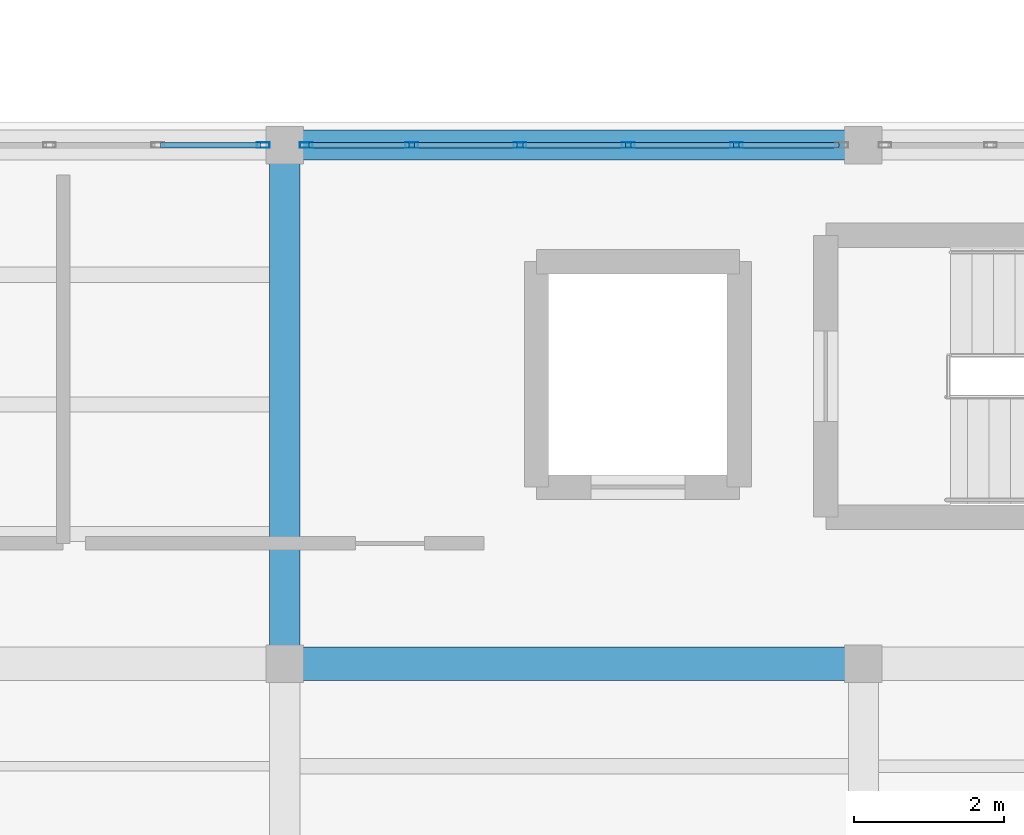
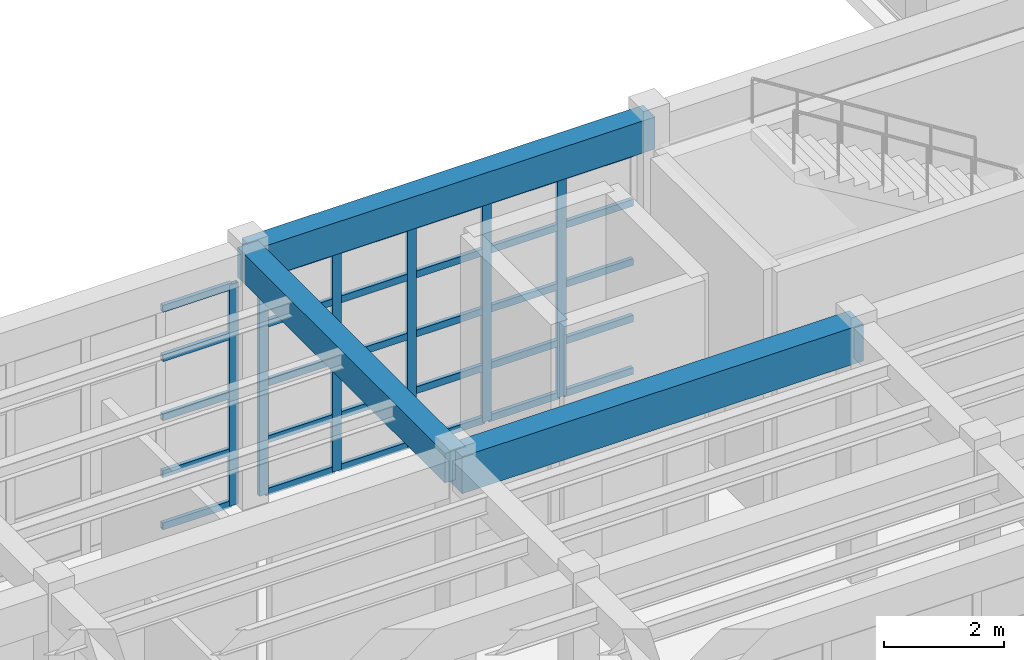
# One storey, part 31 of 103: 36 members, 3 beams, 2 elements without a shape of their own.
"""IFC4 building model written with IfcOpenShell, lengths in metres."""

from ifc_helpers import new_model, si_unit, direction, frame, origin, origin_2d, place, context, subcontext, project, spatial, rectangle, hollow_rectangle, extrude, material, layer, layer_set, material_profile, profile_set, type_object, element, aggregate, save


model = new_model("IFC4")

# Units and contexts
model_context = context("Model", 3, precision=1e-05, world=origin(), true_north=direction((0.0, 1.0)))
body_context = subcontext(model_context, "Body", "Model", "MODEL_VIEW")
ifc_project = project(units=[si_unit("LENGTHUNIT", "METRE"), si_unit("AREAUNIT", "SQUARE_METRE"), si_unit("VOLUMEUNIT", "CUBIC_METRE"), si_unit("PLANEANGLEUNIT", "RADIAN"), si_unit("MASSUNIT", "GRAM", prefix="KILO")], contexts=[model_context])

# Site, building, storey
site_placement = place(None, origin())
site = spatial("IfcSite", under=ifc_project, at=site_placement, CompositionType="ELEMENT")
building_placement = place(site_placement, origin())
building = spatial("IfcBuilding", under=site, at=building_placement, Name="Candilejo Ridge Gondola Terminal", CompositionType="ELEMENT")
storey_placement = place(building_placement, frame((0.0, 0.0, 9.0)))
storey = spatial("IfcBuildingStorey", under=building, at=storey_placement, Name="L02", CompositionType="ELEMENT", Elevation=9.0)

# Curtain wall, member
ifc_material_1 = material(Name="Anodised aluminium AA 6063-T6", Category="aluminium")
ifc_layer = layer(ifc_material_1, 0.169921875)
ifc_layer_set = layer_set([ifc_layer], Name="ARC-CW-GALLERY-3200-720X449")
curtain_wall_type = type_object("IfcCurtainWallType", Name="ARC-CW-GALLERY-3200-720X449", PredefinedType="NOTDEFINED", material=ifc_layer_set)
curtain_wall_1_placement = place(storey_placement, origin())
curtain_wall_1 = element("IfcCurtainWall", 1, at=curtain_wall_1_placement, inside=storey, type_object=curtain_wall_type, Name="Curtain wall V3 L02-088", PredefinedType="NOTDEFINED")
ifc_material_2 = material(Name="Anodised aluminium AA 6063-T6", Category="aluminium")
ifc_material_profile_1 = material_profile(ifc_material_2, hollow_rectangle(XDim=0.074951171875, YDim=0.169921875, WallThickness=0.00390625, at=origin_2d()))
ifc_profile_set_1 = profile_set([ifc_material_profile_1], Name="Anodised aluminium AA 6063-T6")
member_type_1 = type_object("IfcMemberType", Name="ARC-CW-MULLION", PredefinedType="MULLION", material=ifc_profile_set_1)
member_1_placement = place(storey_placement, frame((117.262451171875, 36.699951171875, 0.0), z_axis=(0.0, 0.0, 1.0), x_axis=(0.0, 1.0, 0.0)))
member_1 = element("IfcMember", 2, at=member_1_placement, type_object=member_type_1, Name="CW-72X44 mullion 6", PredefinedType="MULLION", context=body_context, shape_type="SweptSolid", body=[
    extrude(hollow_rectangle(XDim=0.074951171875, YDim=0.169921875, WallThickness=0.00390625, at=origin_2d()), origin(), (0.0, 0.0, 1.0), 4.489990234375),
])

# Curtain wall, members
curtain_wall_2_placement = place(storey_placement, origin())
curtain_wall_2 = element("IfcCurtainWall", 3, at=curtain_wall_2_placement, inside=storey, type_object=curtain_wall_type, Name="Curtain wall V3 L02-090", PredefinedType="NOTDEFINED")
member_2_placement = place(storey_placement, frame((117.83740234375, 36.699951171875, 0.0), z_axis=(0.0, 0.0, 1.0), x_axis=(0.0, 1.0, 0.0)))
member_2 = element("IfcMember", 4, at=member_2_placement, type_object=member_type_1, Name="CW-72X44 mullion 1", PredefinedType="MULLION", context=body_context, shape_type="SweptSolid", body=[
    extrude(hollow_rectangle(XDim=0.074951171875, YDim=0.169921875, WallThickness=0.00390625, at=origin_2d()), origin(), (0.0, 0.0, 1.0), 4.489990234375),
])
member_3_placement = place(storey_placement, frame((119.239990234375, 36.699951171875, 0.0), z_axis=(0.0, 0.0, 1.0), x_axis=(0.0, 1.0, 0.0)))
member_3 = element("IfcMember", 5, at=member_3_placement, type_object=member_type_1, Name="CW-72X44 mullion 2", PredefinedType="MULLION", context=body_context, shape_type="SweptSolid", body=[
    extrude(hollow_rectangle(XDim=0.074951171875, YDim=0.169921875, WallThickness=0.00390625, at=origin_2d()), origin(), (0.0, 0.0, 1.0), 4.489990234375),
])
member_4_placement = place(storey_placement, frame((120.679931640625, 36.699951171875, 0.0), z_axis=(0.0, 0.0, 1.0), x_axis=(0.0, 1.0, 0.0)))
member_4 = element("IfcMember", 6, at=member_4_placement, type_object=member_type_1, Name="CW-72X44 mullion 3", PredefinedType="MULLION", context=body_context, shape_type="SweptSolid", body=[
    extrude(hollow_rectangle(XDim=0.074951171875, YDim=0.169921875, WallThickness=0.00390625, at=origin_2d()), origin(), (0.0, 0.0, 1.0), 4.489990234375),
])
member_5_placement = place(storey_placement, frame((122.1201171875, 36.699951171875, 0.0), z_axis=(0.0, 0.0, 1.0), x_axis=(0.0, 1.0, 0.0)))
member_5 = element("IfcMember", 7, at=member_5_placement, type_object=member_type_1, Name="CW-72X44 mullion 4", PredefinedType="MULLION", context=body_context, shape_type="SweptSolid", body=[
    extrude(hollow_rectangle(XDim=0.074951171875, YDim=0.169921875, WallThickness=0.00390625, at=origin_2d()), origin(), (0.0, 0.0, 1.0), 4.489990234375),
])
member_6_placement = place(storey_placement, frame((123.56005859375, 36.699951171875, 0.0), z_axis=(0.0, 0.0, 1.0), x_axis=(0.0, 1.0, 0.0)))
member_6 = element("IfcMember", 8, at=member_6_placement, type_object=member_type_1, Name="CW-72X44 mullion 5", PredefinedType="MULLION", context=body_context, shape_type="SweptSolid", body=[
    extrude(hollow_rectangle(XDim=0.074951171875, YDim=0.169921875, WallThickness=0.00390625, at=origin_2d()), origin(), (0.0, 0.0, 1.0), 4.489990234375),
])

# Member
ifc_material_3 = material(Name="Anodised aluminium AA 6063-T6", Category="aluminium")
ifc_material_profile_2 = material_profile(ifc_material_3, hollow_rectangle(XDim=0.074951171875, YDim=0.139892578125, WallThickness=0.00390625, at=origin_2d()))
ifc_profile_set_2 = profile_set([ifc_material_profile_2], Name="Anodised aluminium AA 6063-T6")
member_type_2 = type_object("IfcMemberType", Name="ARC-CW-TRANSOM", PredefinedType="USERDEFINED", material=ifc_profile_set_2)
member_7_placement = place(storey_placement, frame((115.8974609375, 36.699951171875, 0.03759765625), z_axis=(1.0, 0.0, 0.0), x_axis=(0.0, 1.0, 0.0)))
member_7 = element("IfcMember", 9, at=member_7_placement, type_object=member_type_2, Name="CW-72X44 transom 5.1", ObjectType="TRANSOM", PredefinedType="USERDEFINED", context=body_context, shape_type="SweptSolid", body=[
    extrude(hollow_rectangle(XDim=0.074951171875, YDim=0.139892578125, WallThickness=0.00390625, at=origin_2d()), origin(), (0.0, 0.0, 1.0), 1.32763671875),
])

member_8_placement = place(storey_placement, frame((115.8974609375, 36.699951171875, 1.10009765625), z_axis=(1.0, 0.0, 0.0), x_axis=(0.0, 1.0, 0.0)))
member_8 = element("IfcMember", 10, at=member_8_placement, type_object=member_type_2, Name="CW-72X44 transom 5.2", ObjectType="TRANSOM", PredefinedType="USERDEFINED", context=body_context, shape_type="SweptSolid", body=[
    extrude(hollow_rectangle(XDim=0.074951171875, YDim=0.139892578125, WallThickness=0.00390625, at=origin_2d()), origin(), (0.0, 0.0, 1.0), 1.32763671875),
])

member_9_placement = place(storey_placement, frame((115.8974609375, 36.699951171875, 2.25), z_axis=(1.0, 0.0, 0.0), x_axis=(0.0, 1.0, 0.0)))
member_9 = element("IfcMember", 11, at=member_9_placement, type_object=member_type_2, Name="CW-72X44 transom 5.3", ObjectType="TRANSOM", PredefinedType="USERDEFINED", context=body_context, shape_type="SweptSolid", body=[
    extrude(hollow_rectangle(XDim=0.074951171875, YDim=0.139892578125, WallThickness=0.00390625, at=origin_2d()), origin(), (0.0, 0.0, 1.0), 1.32763671875),
])

member_10_placement = place(storey_placement, frame((115.8974609375, 36.699951171875, 3.449951171875), z_axis=(1.0, 0.0, 0.0), x_axis=(0.0, 1.0, 0.0)))
member_10 = element("IfcMember", 12, at=member_10_placement, type_object=member_type_2, Name="CW-72X44 transom 5.4", ObjectType="TRANSOM", PredefinedType="USERDEFINED", context=body_context, shape_type="SweptSolid", body=[
    extrude(hollow_rectangle(XDim=0.074951171875, YDim=0.139892578125, WallThickness=0.00390625, at=origin_2d()), origin(), (0.0, 0.0, 1.0), 1.32763671875),
])

member_11_placement = place(storey_placement, frame((115.8974609375, 36.699951171875, 4.452392578125), z_axis=(1.0, 0.0, 0.0), x_axis=(0.0, 1.0, 0.0)))
member_11 = element("IfcMember", 13, at=member_11_placement, type_object=member_type_2, Name="CW-72X44 transom 5.5", ObjectType="TRANSOM", PredefinedType="USERDEFINED", context=body_context, shape_type="SweptSolid", body=[
    extrude(hollow_rectangle(XDim=0.074951171875, YDim=0.139892578125, WallThickness=0.00390625, at=origin_2d()), origin(), (0.0, 0.0, 1.0), 1.32763671875),
])

aggregate(curtain_wall_1, [member_1, member_7, member_8, member_9, member_10, member_11])

member_12_placement = place(storey_placement, frame((117.875, 36.699951171875, 0.03759765625), z_axis=(1.0, 0.0, 0.0), x_axis=(0.0, 1.0, 0.0)))
member_12 = element("IfcMember", 14, at=member_12_placement, type_object=member_type_2, Name="CW-72X44 transom 1.1", ObjectType="TRANSOM", PredefinedType="USERDEFINED", context=body_context, shape_type="SweptSolid", body=[
    extrude(hollow_rectangle(XDim=0.074951171875, YDim=0.139892578125, WallThickness=0.00390625, at=origin_2d()), origin(), (0.0, 0.0, 1.0), 1.327392578125),
])

member_13_placement = place(storey_placement, frame((117.875, 36.699951171875, 1.10009765625), z_axis=(1.0, 0.0, 0.0), x_axis=(0.0, 1.0, 0.0)))
member_13 = element("IfcMember", 15, at=member_13_placement, type_object=member_type_2, Name="CW-72X44 transom 1.2", ObjectType="TRANSOM", PredefinedType="USERDEFINED", context=body_context, shape_type="SweptSolid", body=[
    extrude(hollow_rectangle(XDim=0.074951171875, YDim=0.139892578125, WallThickness=0.00390625, at=origin_2d()), origin(), (0.0, 0.0, 1.0), 1.327392578125),
])

member_14_placement = place(storey_placement, frame((117.875, 36.699951171875, 2.25), z_axis=(1.0, 0.0, 0.0), x_axis=(0.0, 1.0, 0.0)))
member_14 = element("IfcMember", 16, at=member_14_placement, type_object=member_type_2, Name="CW-72X44 transom 1.3", ObjectType="TRANSOM", PredefinedType="USERDEFINED", context=body_context, shape_type="SweptSolid", body=[
    extrude(hollow_rectangle(XDim=0.074951171875, YDim=0.139892578125, WallThickness=0.00390625, at=origin_2d()), origin(), (0.0, 0.0, 1.0), 1.327392578125),
])

member_15_placement = place(storey_placement, frame((117.875, 36.699951171875, 3.449951171875), z_axis=(1.0, 0.0, 0.0), x_axis=(0.0, 1.0, 0.0)))
member_15 = element("IfcMember", 17, at=member_15_placement, type_object=member_type_2, Name="CW-72X44 transom 1.4", ObjectType="TRANSOM", PredefinedType="USERDEFINED", context=body_context, shape_type="SweptSolid", body=[
    extrude(hollow_rectangle(XDim=0.074951171875, YDim=0.139892578125, WallThickness=0.00390625, at=origin_2d()), origin(), (0.0, 0.0, 1.0), 1.327392578125),
])

member_16_placement = place(storey_placement, frame((117.875, 36.699951171875, 4.452392578125), z_axis=(1.0, 0.0, 0.0), x_axis=(0.0, 1.0, 0.0)))
member_16 = element("IfcMember", 18, at=member_16_placement, type_object=member_type_2, Name="CW-72X44 transom 1.5", ObjectType="TRANSOM", PredefinedType="USERDEFINED", context=body_context, shape_type="SweptSolid", body=[
    extrude(hollow_rectangle(XDim=0.074951171875, YDim=0.139892578125, WallThickness=0.00390625, at=origin_2d()), origin(), (0.0, 0.0, 1.0), 1.327392578125),
])

member_17_placement = place(storey_placement, frame((119.277587890625, 36.699951171875, 0.03759765625), z_axis=(1.0, 0.0, 0.0), x_axis=(0.0, 1.0, 0.0)))
member_17 = element("IfcMember", 19, at=member_17_placement, type_object=member_type_2, Name="CW-72X44 transom 2.1", ObjectType="TRANSOM", PredefinedType="USERDEFINED", context=body_context, shape_type="SweptSolid", body=[
    extrude(hollow_rectangle(XDim=0.074951171875, YDim=0.139892578125, WallThickness=0.00390625, at=origin_2d()), origin(), (0.0, 0.0, 1.0), 1.364990234375),
])

member_18_placement = place(storey_placement, frame((119.277587890625, 36.699951171875, 1.10009765625), z_axis=(1.0, 0.0, 0.0), x_axis=(0.0, 1.0, 0.0)))
member_18 = element("IfcMember", 20, at=member_18_placement, type_object=member_type_2, Name="CW-72X44 transom 2.2", ObjectType="TRANSOM", PredefinedType="USERDEFINED", context=body_context, shape_type="SweptSolid", body=[
    extrude(hollow_rectangle(XDim=0.074951171875, YDim=0.139892578125, WallThickness=0.00390625, at=origin_2d()), origin(), (0.0, 0.0, 1.0), 1.364990234375),
])

member_19_placement = place(storey_placement, frame((119.277587890625, 36.699951171875, 2.25), z_axis=(1.0, 0.0, 0.0), x_axis=(0.0, 1.0, 0.0)))
member_19 = element("IfcMember", 21, at=member_19_placement, type_object=member_type_2, Name="CW-72X44 transom 2.3", ObjectType="TRANSOM", PredefinedType="USERDEFINED", context=body_context, shape_type="SweptSolid", body=[
    extrude(hollow_rectangle(XDim=0.074951171875, YDim=0.139892578125, WallThickness=0.00390625, at=origin_2d()), origin(), (0.0, 0.0, 1.0), 1.364990234375),
])

member_20_placement = place(storey_placement, frame((119.277587890625, 36.699951171875, 3.449951171875), z_axis=(1.0, 0.0, 0.0), x_axis=(0.0, 1.0, 0.0)))
member_20 = element("IfcMember", 22, at=member_20_placement, type_object=member_type_2, Name="CW-72X44 transom 2.4", ObjectType="TRANSOM", PredefinedType="USERDEFINED", context=body_context, shape_type="SweptSolid", body=[
    extrude(hollow_rectangle(XDim=0.074951171875, YDim=0.139892578125, WallThickness=0.00390625, at=origin_2d()), origin(), (0.0, 0.0, 1.0), 1.364990234375),
])

member_21_placement = place(storey_placement, frame((119.277587890625, 36.699951171875, 4.452392578125), z_axis=(1.0, 0.0, 0.0), x_axis=(0.0, 1.0, 0.0)))
member_21 = element("IfcMember", 23, at=member_21_placement, type_object=member_type_2, Name="CW-72X44 transom 2.5", ObjectType="TRANSOM", PredefinedType="USERDEFINED", context=body_context, shape_type="SweptSolid", body=[
    extrude(hollow_rectangle(XDim=0.074951171875, YDim=0.139892578125, WallThickness=0.00390625, at=origin_2d()), origin(), (0.0, 0.0, 1.0), 1.364990234375),
])

member_22_placement = place(storey_placement, frame((120.717529296875, 36.699951171875, 0.03759765625), z_axis=(1.0, 0.0, 0.0), x_axis=(0.0, 1.0, 0.0)))
member_22 = element("IfcMember", 24, at=member_22_placement, type_object=member_type_2, Name="CW-72X44 transom 3.1", ObjectType="TRANSOM", PredefinedType="USERDEFINED", context=body_context, shape_type="SweptSolid", body=[
    extrude(hollow_rectangle(XDim=0.074951171875, YDim=0.139892578125, WallThickness=0.00390625, at=origin_2d()), origin(), (0.0, 0.0, 1.0), 1.364990234375),
])

member_23_placement = place(storey_placement, frame((120.717529296875, 36.699951171875, 1.10009765625), z_axis=(1.0, 0.0, 0.0), x_axis=(0.0, 1.0, 0.0)))
member_23 = element("IfcMember", 25, at=member_23_placement, type_object=member_type_2, Name="CW-72X44 transom 3.2", ObjectType="TRANSOM", PredefinedType="USERDEFINED", context=body_context, shape_type="SweptSolid", body=[
    extrude(hollow_rectangle(XDim=0.074951171875, YDim=0.139892578125, WallThickness=0.00390625, at=origin_2d()), origin(), (0.0, 0.0, 1.0), 1.364990234375),
])

member_24_placement = place(storey_placement, frame((120.717529296875, 36.699951171875, 2.25), z_axis=(1.0, 0.0, 0.0), x_axis=(0.0, 1.0, 0.0)))
member_24 = element("IfcMember", 26, at=member_24_placement, type_object=member_type_2, Name="CW-72X44 transom 3.3", ObjectType="TRANSOM", PredefinedType="USERDEFINED", context=body_context, shape_type="SweptSolid", body=[
    extrude(hollow_rectangle(XDim=0.074951171875, YDim=0.139892578125, WallThickness=0.00390625, at=origin_2d()), origin(), (0.0, 0.0, 1.0), 1.364990234375),
])

member_25_placement = place(storey_placement, frame((120.717529296875, 36.699951171875, 3.449951171875), z_axis=(1.0, 0.0, 0.0), x_axis=(0.0, 1.0, 0.0)))
member_25 = element("IfcMember", 27, at=member_25_placement, type_object=member_type_2, Name="CW-72X44 transom 3.4", ObjectType="TRANSOM", PredefinedType="USERDEFINED", context=body_context, shape_type="SweptSolid", body=[
    extrude(hollow_rectangle(XDim=0.074951171875, YDim=0.139892578125, WallThickness=0.00390625, at=origin_2d()), origin(), (0.0, 0.0, 1.0), 1.364990234375),
])

member_26_placement = place(storey_placement, frame((120.717529296875, 36.699951171875, 4.452392578125), z_axis=(1.0, 0.0, 0.0), x_axis=(0.0, 1.0, 0.0)))
member_26 = element("IfcMember", 28, at=member_26_placement, type_object=member_type_2, Name="CW-72X44 transom 3.5", ObjectType="TRANSOM", PredefinedType="USERDEFINED", context=body_context, shape_type="SweptSolid", body=[
    extrude(hollow_rectangle(XDim=0.074951171875, YDim=0.139892578125, WallThickness=0.00390625, at=origin_2d()), origin(), (0.0, 0.0, 1.0), 1.364990234375),
])

member_27_placement = place(storey_placement, frame((122.157470703125, 36.699951171875, 0.03759765625), z_axis=(1.0, 0.0, 0.0), x_axis=(0.0, 1.0, 0.0)))
member_27 = element("IfcMember", 29, at=member_27_placement, type_object=member_type_2, Name="CW-72X44 transom 4.1", ObjectType="TRANSOM", PredefinedType="USERDEFINED", context=body_context, shape_type="SweptSolid", body=[
    extrude(hollow_rectangle(XDim=0.074951171875, YDim=0.139892578125, WallThickness=0.00390625, at=origin_2d()), origin(), (0.0, 0.0, 1.0), 1.364990234375),
])

member_28_placement = place(storey_placement, frame((122.157470703125, 36.699951171875, 1.10009765625), z_axis=(1.0, 0.0, 0.0), x_axis=(0.0, 1.0, 0.0)))
member_28 = element("IfcMember", 30, at=member_28_placement, type_object=member_type_2, Name="CW-72X44 transom 4.2", ObjectType="TRANSOM", PredefinedType="USERDEFINED", context=body_context, shape_type="SweptSolid", body=[
    extrude(hollow_rectangle(XDim=0.074951171875, YDim=0.139892578125, WallThickness=0.00390625, at=origin_2d()), origin(), (0.0, 0.0, 1.0), 1.364990234375),
])

member_29_placement = place(storey_placement, frame((122.157470703125, 36.699951171875, 2.25), z_axis=(1.0, 0.0, 0.0), x_axis=(0.0, 1.0, 0.0)))
member_29 = element("IfcMember", 31, at=member_29_placement, type_object=member_type_2, Name="CW-72X44 transom 4.3", ObjectType="TRANSOM", PredefinedType="USERDEFINED", context=body_context, shape_type="SweptSolid", body=[
    extrude(hollow_rectangle(XDim=0.074951171875, YDim=0.139892578125, WallThickness=0.00390625, at=origin_2d()), origin(), (0.0, 0.0, 1.0), 1.364990234375),
])

member_30_placement = place(storey_placement, frame((122.157470703125, 36.699951171875, 3.449951171875), z_axis=(1.0, 0.0, 0.0), x_axis=(0.0, 1.0, 0.0)))
member_30 = element("IfcMember", 32, at=member_30_placement, type_object=member_type_2, Name="CW-72X44 transom 4.4", ObjectType="TRANSOM", PredefinedType="USERDEFINED", context=body_context, shape_type="SweptSolid", body=[
    extrude(hollow_rectangle(XDim=0.074951171875, YDim=0.139892578125, WallThickness=0.00390625, at=origin_2d()), origin(), (0.0, 0.0, 1.0), 1.364990234375),
])

member_31_placement = place(storey_placement, frame((122.157470703125, 36.699951171875, 4.452392578125), z_axis=(1.0, 0.0, 0.0), x_axis=(0.0, 1.0, 0.0)))
member_31 = element("IfcMember", 33, at=member_31_placement, type_object=member_type_2, Name="CW-72X44 transom 4.5", ObjectType="TRANSOM", PredefinedType="USERDEFINED", context=body_context, shape_type="SweptSolid", body=[
    extrude(hollow_rectangle(XDim=0.074951171875, YDim=0.139892578125, WallThickness=0.00390625, at=origin_2d()), origin(), (0.0, 0.0, 1.0), 1.364990234375),
])

member_32_placement = place(storey_placement, frame((123.597412109375, 36.699951171875, 0.03759765625), z_axis=(1.0, 0.0, 0.0), x_axis=(0.0, 1.0, 0.0)))
member_32 = element("IfcMember", 34, at=member_32_placement, type_object=member_type_2, Name="CW-72X44 transom 5.1", ObjectType="TRANSOM", PredefinedType="USERDEFINED", context=body_context, shape_type="SweptSolid", body=[
    extrude(hollow_rectangle(XDim=0.074951171875, YDim=0.139892578125, WallThickness=0.00390625, at=origin_2d()), origin(), (0.0, 0.0, 1.0), 1.32763671875),
])

member_33_placement = place(storey_placement, frame((123.597412109375, 36.699951171875, 1.10009765625), z_axis=(1.0, 0.0, 0.0), x_axis=(0.0, 1.0, 0.0)))
member_33 = element("IfcMember", 35, at=member_33_placement, type_object=member_type_2, Name="CW-72X44 transom 5.2", ObjectType="TRANSOM", PredefinedType="USERDEFINED", context=body_context, shape_type="SweptSolid", body=[
    extrude(hollow_rectangle(XDim=0.074951171875, YDim=0.139892578125, WallThickness=0.00390625, at=origin_2d()), origin(), (0.0, 0.0, 1.0), 1.32763671875),
])

member_34_placement = place(storey_placement, frame((123.597412109375, 36.699951171875, 2.25), z_axis=(1.0, 0.0, 0.0), x_axis=(0.0, 1.0, 0.0)))
member_34 = element("IfcMember", 36, at=member_34_placement, type_object=member_type_2, Name="CW-72X44 transom 5.3", ObjectType="TRANSOM", PredefinedType="USERDEFINED", context=body_context, shape_type="SweptSolid", body=[
    extrude(hollow_rectangle(XDim=0.074951171875, YDim=0.139892578125, WallThickness=0.00390625, at=origin_2d()), origin(), (0.0, 0.0, 1.0), 1.32763671875),
])

member_35_placement = place(storey_placement, frame((123.597412109375, 36.699951171875, 3.449951171875), z_axis=(1.0, 0.0, 0.0), x_axis=(0.0, 1.0, 0.0)))
member_35 = element("IfcMember", 37, at=member_35_placement, type_object=member_type_2, Name="CW-72X44 transom 5.4", ObjectType="TRANSOM", PredefinedType="USERDEFINED", context=body_context, shape_type="SweptSolid", body=[
    extrude(hollow_rectangle(XDim=0.074951171875, YDim=0.139892578125, WallThickness=0.00390625, at=origin_2d()), origin(), (0.0, 0.0, 1.0), 1.32763671875),
])

member_36_placement = place(storey_placement, frame((123.597412109375, 36.699951171875, 4.452392578125), z_axis=(1.0, 0.0, 0.0), x_axis=(0.0, 1.0, 0.0)))
member_36 = element("IfcMember", 38, at=member_36_placement, type_object=member_type_2, Name="CW-72X44 transom 5.5", ObjectType="TRANSOM", PredefinedType="USERDEFINED", context=body_context, shape_type="SweptSolid", body=[
    extrude(hollow_rectangle(XDim=0.074951171875, YDim=0.139892578125, WallThickness=0.00390625, at=origin_2d()), origin(), (0.0, 0.0, 1.0), 1.32763671875),
])

aggregate(curtain_wall_2, [member_2, member_3, member_4, member_5, member_6, member_12, member_13, member_14, member_15, member_16, member_17, member_18, member_19, member_20, member_21, member_22, member_23, member_24, member_25, member_26, member_27, member_28, member_29, member_30, member_31, member_32, member_33, member_34, member_35, member_36])

# Beams
ifc_material_4 = material(Name="Concrete f'c 35 MPa (C35/45)", Category="concrete")
ifc_material_profile_3 = material_profile(ifc_material_4, rectangle(XDim=0.39990234375, YDim=0.60009765625, at=origin_2d()))
ifc_profile_set_3 = profile_set([ifc_material_profile_3], Name="Concrete f'c 35 MPa (C35/45)")
beam_type_1 = type_object("IfcBeamType", Name="STR-BM-RC400X600", PredefinedType="BEAM", material=ifc_profile_set_3)
beam_1_placement = place(storey_placement, frame((117.550048828125, 29.800048828125, 4.875), z_axis=(0.0, 1.0, 0.0), x_axis=(-1.0, 0.0, 0.0)))
element("IfcBeam", 39, at=beam_1_placement, inside=storey, type_object=beam_type_1, Name="Beam Y V3 L02 Y06-Y07@X18", PredefinedType="BEAM", context=body_context, shape_type="SweptSolid", body=[
    extrude(rectangle(XDim=0.39990234375, YDim=0.60009765625, at=origin_2d()), origin(), (0.0, 0.0, 1.0), 6.89990234375),
])
ifc_material_5 = material(Name="Concrete f'c 35 MPa (C35/45)", Category="concrete")
ifc_material_profile_4 = material_profile(ifc_material_5, rectangle(XDim=0.449951171875, YDim=0.75, at=origin_2d()))
ifc_profile_set_4 = profile_set([ifc_material_profile_4], Name="Concrete f'c 35 MPa (C35/45)")
beam_type_2 = type_object("IfcBeamType", Name="STR-BM-RC450X750", PredefinedType="BEAM", material=ifc_profile_set_4)
beam_2_placement = place(storey_placement, frame((117.550048828125, 29.800048828125, 4.800048828125), z_axis=(1.0, 0.0, 0.0), x_axis=(0.0, 1.0, 0.0)))
element("IfcBeam", 40, at=beam_2_placement, inside=storey, type_object=beam_type_2, Name="Beam X V3 L02 X18-X19@Y06", PredefinedType="BEAM", context=body_context, shape_type="SweptSolid", body=[
    extrude(rectangle(XDim=0.449951171875, YDim=0.75, at=origin_2d()), origin(), (0.0, 0.0, 1.0), 7.699951171875),
])
ifc_material_6 = material(Name="Concrete f'c 35 MPa (C35/45)", Category="concrete")
ifc_material_profile_5 = material_profile(ifc_material_6, rectangle(XDim=0.39990234375, YDim=0.64990234375, at=origin_2d()))
ifc_profile_set_5 = profile_set([ifc_material_profile_5], Name="Concrete f'c 35 MPa (C35/45)")
beam_type_3 = type_object("IfcBeamType", Name="STR-SPN-RC400X650", PredefinedType="SPANDREL", material=ifc_profile_set_5)
beam_3_placement = place(storey_placement, frame((117.550048828125, 36.699951171875, 4.85009765625), z_axis=(1.0, 0.0, 0.0), x_axis=(0.0, 1.0, 0.0)))
element("IfcBeam", 41, at=beam_3_placement, inside=storey, type_object=beam_type_3, Name="Beam X V3 L02 X18-X19@Y07", PredefinedType="SPANDREL", context=body_context, shape_type="SweptSolid", body=[
    extrude(rectangle(XDim=0.39990234375, YDim=0.64990234375, at=origin_2d()), origin(), (0.0, 0.0, 1.0), 7.699951171875),
])

save(model, "model.ifc")
